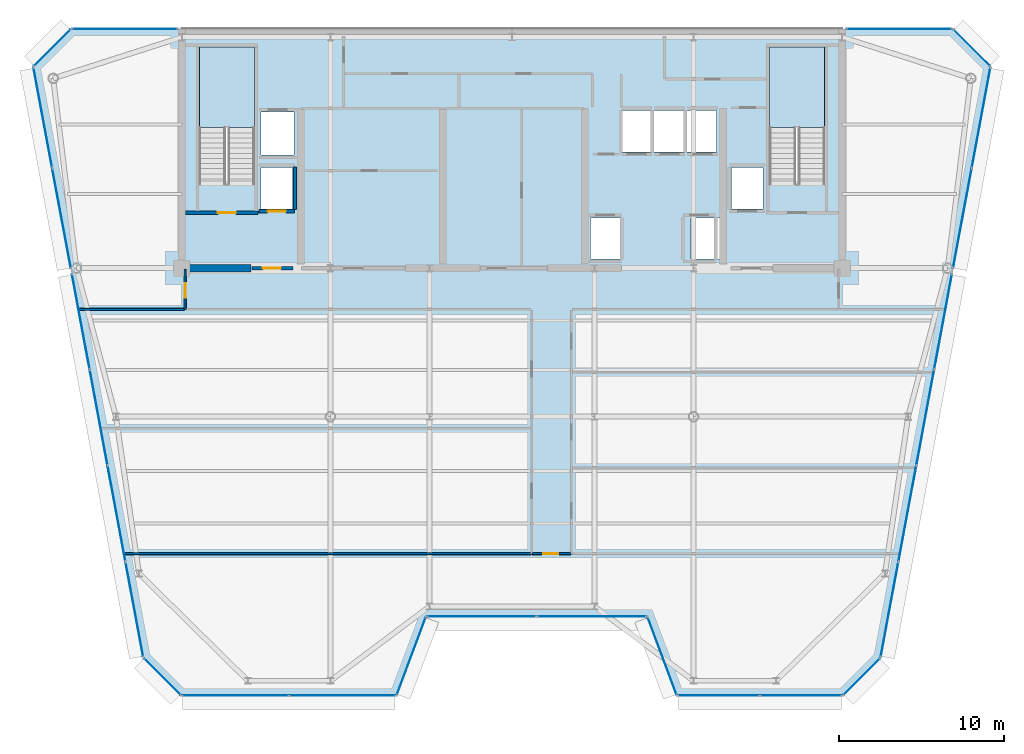
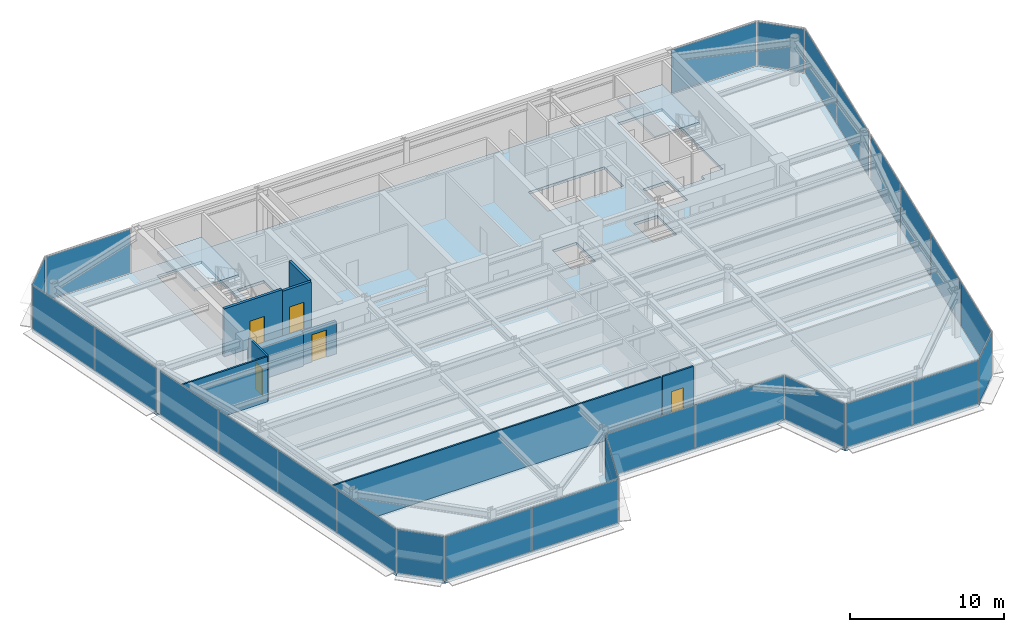
# One storey, part 9 of 18: 26 plates, 9 walls, 5 doors, 3 slabs, 5 openings, 17 elements without a shape of their own.
"""IFC4 building model written with IfcOpenShell, lengths in metres."""

import ifcopenshell
import ifcopenshell.guid

model = None  # the IFC model being written
_history = None  # IfcOwnerHistory: only IFC2X3 demands one
_inside = {}  # id of a spatial element -> (the spatial element, [elements in it])
_under = {}  # id of a project, library or spatial element -> (it, [spatial elements below it])
_declared = {}  # id of a project -> (the project, [libraries it declares])
_typed = {}  # id of a type object -> (the type object, [elements of that type])
_made_of = {}  # id of a material, layer set ... -> (it, [elements and type objects made of it])


def new_model(schema):
    """Start an empty IFC model of exactly this schema.

    Asked for "IFC4X3", IfcOpenShell would pick the latest addendum, in which some entities
    have other attributes; the version numbers below select the first issue.
    IFC2X3 requires an IfcOwnerHistory on every rooted entity: one is made here for all.
    """
    global model, _history
    if schema == "IFC4X3":
        model = ifcopenshell.file(schema_version=(4, 3, 0, 0))
    else:
        model = ifcopenshell.file(schema=schema)
    _inside.clear()
    _under.clear()
    _declared.clear()
    _typed.clear()
    _made_of.clear()
    _history = None
    if model.schema == "IFC2X3":
        org = make("IfcOrganization", Name="unknown")
        user = make(
            "IfcPersonAndOrganization",
            ThePerson=make("IfcPerson", FamilyName="unknown"),
            TheOrganization=org,
        )
        app = make(
            "IfcApplication",
            ApplicationDeveloper=org,
            Version="unknown",
            ApplicationFullName="unknown",
            ApplicationIdentifier="unknown",
        )
        _history = make(
            "IfcOwnerHistory",
            OwningUser=user,
            OwningApplication=app,
            ChangeAction="ADDED",
            CreationDate=0,
        )
    return model


def make(cls, **values):
    """One entity of the class cls with the attributes given. An attribute that is None is left unset."""
    return model.create_entity(
        cls, **{name: value for name, value in values.items() if value is not None}
    )


def rooted(cls, **values):
    """An entity with a GlobalId (a new one), such as an element, a storey or a relation."""
    return make(cls, GlobalId=ifcopenshell.guid.new(), OwnerHistory=_history, **values)


def si_unit(unit_type, name, prefix=None):
    """IfcSIUnit, for example si_unit("LENGTHUNIT", "METRE", prefix="MILLI")."""
    return make("IfcSIUnit", UnitType=unit_type, Prefix=prefix, Name=name)


def assignment(units):
    """IfcUnitAssignment: the units of a project."""
    return None if units is None else make("IfcUnitAssignment", Units=units)


def point(xyz):
    """IfcCartesianPoint."""
    return None if xyz is None else make("IfcCartesianPoint", Coordinates=xyz)


def direction(xyz):
    """IfcDirection."""
    return None if xyz is None else make("IfcDirection", DirectionRatios=xyz)


def frame(location, z_axis=None, x_axis=None):
    """IfcAxis2Placement3D, a coordinate frame: its origin and axes. An axis left out is left unset."""
    return make(
        "IfcAxis2Placement3D",
        Location=point(location),
        Axis=direction(z_axis),
        RefDirection=direction(x_axis),
    )


def frame_2d(location, x_axis=None):
    """IfcAxis2Placement2D, a coordinate frame in the plane: its origin and x axis."""
    return make(
        "IfcAxis2Placement2D", Location=point(location), RefDirection=direction(x_axis)
    )


def origin():
    """The frame at (0, 0, 0) with its axes left unset."""
    return frame((0.0, 0.0, 0.0))


def origin_2d():
    """The frame at (0, 0) in the plane with its x axis left unset."""
    return frame_2d((0.0, 0.0))


def place(relative_to, where):
    """IfcLocalPlacement: puts the frame where relative to a parent placement (None: the world)."""
    return make(
        "IfcLocalPlacement", PlacementRelTo=relative_to, RelativePlacement=where
    )


def context(
    kind, dimensions, precision=None, world=None, true_north=None, identifier=None
):
    """IfcGeometricRepresentationContext, for example the 3D "Model" context."""
    return make(
        "IfcGeometricRepresentationContext",
        ContextIdentifier=identifier,
        ContextType=kind,
        CoordinateSpaceDimension=dimensions,
        Precision=precision,
        WorldCoordinateSystem=world,
        TrueNorth=true_north,
    )


def subcontext(parent, identifier, kind, view, scale=None):
    """IfcGeometricRepresentationSubContext, for example "Body" below "Model"."""
    return make(
        "IfcGeometricRepresentationSubContext",
        ContextIdentifier=identifier,
        ContextType=kind,
        ParentContext=parent,
        TargetScale=scale,
        TargetView=view,
    )


def project(units=None, contexts=None):
    """IfcProject with its units and contexts."""
    return rooted(
        "IfcProject",
        Name="project",
        RepresentationContexts=contexts,
        UnitsInContext=assignment(units),
    )


def spatial(cls, under=None, at=None, **own):
    """A site, building, storey or space (cls), placed at a placement, below another one or the project."""
    s = rooted(cls, ObjectPlacement=at, **own)
    if under is not None:
        _under.setdefault(under.id(), (under, []))[1].append(s)
    return s


def polyline(points):
    """IfcPolyline through the points."""
    return make("IfcPolyline", Points=[point(p) for p in points])


def profile(cls, at=None, kind="AREA", **sizes):
    """A parametric profile (cls). Its sizes go by their IFC names, for example OverallWidth=200.0."""
    return make(cls, ProfileType=kind, Position=at, **sizes)


def rectangle(**sizes):
    """IfcRectangleProfileDef."""
    return profile("IfcRectangleProfileDef", **sizes)


def outline(outer, holes=None, kind="AREA"):
    """IfcArbitraryClosedProfileDef: a profile drawn as a closed curve; with holes, ...WithVoids."""
    if holes is None:
        return make("IfcArbitraryClosedProfileDef", ProfileType=kind, OuterCurve=outer)
    return make(
        "IfcArbitraryProfileDefWithVoids",
        ProfileType=kind,
        OuterCurve=outer,
        InnerCurves=holes,
    )


def extrude(swept, where, along, depth):
    """IfcExtrudedAreaSolid: the profile swept, set in the frame where, extruded along a direction by depth."""
    return make(
        "IfcExtrudedAreaSolid",
        SweptArea=swept,
        Position=where,
        ExtrudedDirection=direction(along),
        Depth=depth,
    )


def shape(context_of_items, identifier, shape_type, items):
    """IfcShapeRepresentation: the items that make up one representation, for example the "Body"."""
    return make(
        "IfcShapeRepresentation",
        ContextOfItems=context_of_items,
        RepresentationIdentifier=identifier,
        RepresentationType=shape_type,
        Items=items,
    )


def source(mapping_origin, context_of_items, identifier, shape_type, items):
    """IfcRepresentationMap: a shape defined once, which mapped items show again and again."""
    return make(
        "IfcRepresentationMap",
        MappingOrigin=mapping_origin,
        MappedRepresentation=shape(context_of_items, identifier, shape_type, items),
    )


def transform(
    local_origin,
    x_axis=None,
    y_axis=None,
    z_axis=None,
    scale=None,
    scale2=None,
    scale3=None,
    uniform=True,
):
    """IfcCartesianTransformationOperator3D, or its non-uniform kind. x_axis, y_axis, z_axis: its Axis1, 2, 3."""
    if uniform:
        return make(
            "IfcCartesianTransformationOperator3D",
            Axis1=direction(x_axis),
            Axis2=direction(y_axis),
            LocalOrigin=point(local_origin),
            Scale=scale,
            Axis3=direction(z_axis),
        )
    return make(
        "IfcCartesianTransformationOperator3DnonUniform",
        Axis1=direction(x_axis),
        Axis2=direction(y_axis),
        LocalOrigin=point(local_origin),
        Scale=scale,
        Axis3=direction(z_axis),
        Scale2=scale2,
        Scale3=scale3,
    )


def mapped(mapping_source, mapping_target):
    """IfcMappedItem: shows the shape of a source again, moved by a transform."""
    return make(
        "IfcMappedItem", MappingSource=mapping_source, MappingTarget=mapping_target
    )


def material(Name=None, Category=None):
    """IfcMaterial."""
    return make("IfcMaterial", Name=Name, Category=Category)


def layer(
    of_material, thickness, ventilated=None, Name=None, Category=None, Priority=None
):
    """IfcMaterialLayer: one layer of a wall or slab, of a material (None: an air gap)."""
    return make(
        "IfcMaterialLayer",
        Material=of_material,
        LayerThickness=thickness,
        IsVentilated=ventilated,
        Name=Name,
        Category=Category,
        Priority=Priority,
    )


def layer_set(layers, Name=None):
    """IfcMaterialLayerSet."""
    return make("IfcMaterialLayerSet", MaterialLayers=layers, LayerSetName=Name)


def made_of(thing, what):
    """Note that an element or type object is made of a material, layer set ...; save() writes the relation."""
    if what is not None:
        _made_of.setdefault(what.id(), (what, []))[1].append(thing)
    return thing


def type_object(cls, material=None, **own):
    """A type object (cls), such as IfcWallType, which elements share."""
    return made_of(rooted(cls, **own), material)


def element(
    cls,
    number,
    at=None,
    inside=None,
    cuts=None,
    type_object=None,
    material=None,
    context=None,
    identifier="Body",
    shape_type=None,
    held_by="IfcProductDefinitionShape",
    body=None,
    shapes=None,
    **own,
):
    """One element of the class cls, such as IfcWall. Its Tag is "e" and its number.

    at: its placement. inside: the storey or other place that contains it. cuts: it is an
    opening in that element (IfcRelVoidsElement). A single representation is given by context,
    identifier, shape_type and body (its items); several are given by shapes. held_by: the class
    of the entity that holds the representations. save() writes the other relations.
    """
    e = rooted(cls, Tag="e%d" % number, ObjectPlacement=at, **own)
    if body is not None:
        shapes = [shape(context, identifier, shape_type, body)]
    if shapes is not None:
        e.Representation = make(held_by, Representations=shapes)
    if inside is not None:
        _inside.setdefault(inside.id(), (inside, []))[1].append(e)
    if cuts is not None:
        rooted(
            "IfcRelVoidsElement", RelatingBuildingElement=cuts, RelatedOpeningElement=e
        )
    if type_object is not None:
        _typed.setdefault(type_object.id(), (type_object, []))[1].append(e)
    return made_of(e, material)


def fill(opening, filler):
    """IfcRelFillsElement: the door or window that sits in an opening."""
    return rooted(
        "IfcRelFillsElement",
        RelatingOpeningElement=opening,
        RelatedBuildingElement=filler,
    )


def aggregate(whole, parts):
    """IfcRelAggregates: a whole, such as a stair, and the parts it consists of."""
    return rooted("IfcRelAggregates", RelatingObject=whole, RelatedObjects=parts)


def save(model, path):
    """Write the relations noted so far, then the file.

    IfcRelAggregates (storeys below a building ...), IfcRelContainedInSpatialStructure (elements
    in a storey), IfcRelDefinesByType, IfcRelAssociatesMaterial and IfcRelDeclares: one each for
    every whole, place, type object, material and project.
    """
    for whole, parts in _under.values():
        aggregate(whole, parts)
    for where, things in _inside.values():
        rooted(
            "IfcRelContainedInSpatialStructure",
            RelatedElements=things,
            RelatingStructure=where,
        )
    for kind, things in _typed.values():
        rooted("IfcRelDefinesByType", RelatedObjects=things, RelatingType=kind)
    for what, things in _made_of.values():
        rooted("IfcRelAssociatesMaterial", RelatedObjects=things, RelatingMaterial=what)
    for by, libraries in _declared.values():
        rooted("IfcRelDeclares", RelatingContext=by, RelatedDefinitions=libraries)
    model.write(path)


model = new_model("IFC4")

# Units and contexts
model_context = context("Model", 3, precision=1e-05, world=origin(), true_north=direction((0.0, 1.0)))
body_context = subcontext(model_context, "Body", "Model", "MODEL_VIEW")
ifc_project = project(units=[si_unit("LENGTHUNIT", "METRE"), si_unit("AREAUNIT", "SQUARE_METRE"), si_unit("VOLUMEUNIT", "CUBIC_METRE"), si_unit("PLANEANGLEUNIT", "RADIAN"), si_unit("MASSUNIT", "GRAM", prefix="KILO")], contexts=[model_context])

# Site, building, storey
site_placement = place(None, origin())
site = spatial("IfcSite", under=ifc_project, at=site_placement, CompositionType="ELEMENT")
building_placement = place(site_placement, origin())
building = spatial("IfcBuilding", under=site, at=building_placement, Name="Vaeldorn Concourse Tower", CompositionType="ELEMENT")
storey_placement = place(building_placement, frame((0.0, 0.0, 246.0)))
storey = spatial("IfcBuildingStorey", under=building, at=storey_placement, Name="L63", CompositionType="ELEMENT", Elevation=246.0)

# Stair, slab
ifc_material_1 = material(Name="Precast concrete C40/50", Category="concrete")
stair_type = type_object("IfcStairType", Name="STR-DOG-24x158", PredefinedType="HALF_TURN_STAIR", material=ifc_material_1)
stair_1_placement = place(storey_placement, origin())
stair_1 = element("IfcStair", 1, at=stair_1_placement, inside=storey, type_object=stair_type, Name="L63 West Core Exit Stair ST-1", PredefinedType="HALF_TURN_STAIR")
ifc_material_2 = material(Name="Concrete C40/50", Category="concrete")
ifc_layer_1 = layer(ifc_material_2, 0.199951171875)
ifc_layer_set_1 = layer_set([ifc_layer_1], Name="Concrete C40/50")
slab_type_1 = type_object("IfcSlabType", Name="SL-STAIR-LANDING", PredefinedType="LANDING", material=ifc_layer_set_1)
slab_1_placement = place(storey_placement, frame((0.0, 0.0, 1.699951171875)))
slab_1 = element("IfcSlab", 2, at=slab_1_placement, type_object=slab_type_1, Name="ST-1 landing 1", PredefinedType="LANDING", context=body_context, shape_type="SweptSolid", body=[
    extrude(outline(polyline([(18.39990234375, 45.010009765625), (18.39990234375, 49.89990234375), (15.050048828125, 49.89990234375), (15.050048828125, 45.010009765625), (18.39990234375, 45.010009765625)])), origin(), (0.0, 0.0, 1.0), 0.199951171875),
])
aggregate(stair_1, [slab_1])

stair_2_placement = place(storey_placement, origin())
stair_2 = element("IfcStair", 3, at=stair_2_placement, inside=storey, type_object=stair_type, Name="L63 East Core Exit Stair ST-2", PredefinedType="HALF_TURN_STAIR")
slab_2_placement = place(storey_placement, frame((0.0, 0.0, 1.699951171875)))
slab_2 = element("IfcSlab", 4, at=slab_2_placement, type_object=slab_type_1, Name="ST-2 landing 1", PredefinedType="LANDING", context=body_context, shape_type="SweptSolid", body=[
    extrude(outline(polyline([(52.949951171875, 45.010009765625), (52.949951171875, 49.89990234375), (49.60009765625, 49.89990234375), (49.60009765625, 45.010009765625), (52.949951171875, 45.010009765625)])), origin(), (0.0, 0.0, 1.0), 0.199951171875),
])
aggregate(stair_2, [slab_2])

# Slab
ifc_layer_2 = layer(ifc_material_2, 0.219970703125)
ifc_layer_set_2 = layer_set([ifc_layer_2], Name="Concrete C40/50")
slab_type_2 = type_object("IfcSlabType", Name="SL-TYP-220", PredefinedType="FLOOR", material=ifc_layer_set_2)
slab_3_placement = place(storey_placement, frame((0.0, 0.0, -0.219970703125)))
element("IfcSlab", 5, at=slab_3_placement, inside=storey, type_object=slab_type_2, Name="Structural Floor Slab L63", PredefinedType="FLOOR", context=body_context, shape_type="SweptSolid", body=[
    extrude(outline(polyline([(13.966064453125, 10.60009765625), (27.0, 10.60009765625), (28.800048828125, 15.39990234375), (42.199951171875, 15.39990234375), (44.0, 10.60009765625), (54.033935546875, 10.60009765625), (56.333984375, 12.89990234375), (63.0, 48.699951171875), (60.699951171875, 51.0), (7.300048828125, 51.0), (5.0, 48.699951171875), (11.666015625, 12.89990234375), (13.966064453125, 10.60009765625)]), holes=[polyline([(18.39990234375, 42.0), (18.39990234375, 49.89990234375), (15.050048828125, 49.89990234375), (15.050048828125, 41.60009765625), (16.800048828125, 41.60009765625), (16.800048828125, 42.0), (18.39990234375, 42.0)]), polyline([(52.949951171875, 42.0), (52.949951171875, 49.89990234375), (49.60009765625, 49.89990234375), (49.60009765625, 41.60009765625), (51.35009765625, 41.60009765625), (51.35009765625, 42.0), (52.949951171875, 42.0)]), polyline([(38.75, 37.050048828125), (40.550048828125, 37.050048828125), (40.550048828125, 39.550048828125), (38.75, 39.550048828125), (38.75, 37.050048828125)]), polyline([(44.85009765625, 37.050048828125), (46.64990234375, 37.050048828125), (46.64990234375, 39.550048828125), (44.85009765625, 39.550048828125), (44.85009765625, 37.050048828125)]), polyline([(40.699951171875, 43.550048828125), (46.39990234375, 43.550048828125), (46.39990234375, 46.050048828125), (40.699951171875, 46.050048828125), (40.699951171875, 43.550048828125)]), polyline([(18.800048828125, 43.35009765625), (20.800048828125, 43.35009765625), (20.800048828125, 45.949951171875), (18.800048828125, 45.949951171875), (18.800048828125, 43.35009765625)]), polyline([(18.800048828125, 40.10009765625), (20.699951171875, 40.10009765625), (20.699951171875, 42.60009765625), (18.800048828125, 42.60009765625), (18.800048828125, 40.10009765625)]), polyline([(47.300048828125, 40.10009765625), (49.199951171875, 40.10009765625), (49.199951171875, 42.60009765625), (47.300048828125, 42.60009765625), (47.300048828125, 40.10009765625)])]), origin(), (0.0, 0.0, 1.0), 0.219970703125),
])

# Curtain wall, plate
ifc_material_3 = material(Name="Anodised Bronze Aluminium", Category="aluminium")
ifc_layer_3 = layer(ifc_material_3, 0.179931640625)
ifc_layer_set_3 = layer_set([ifc_layer_3], Name="Anodised Bronze Aluminium")
curtain_wall_type = type_object("IfcCurtainWallType", Name="CW-SYS-05", PredefinedType="NOTDEFINED", material=ifc_layer_set_3)
curtain_wall_1_placement = place(storey_placement, origin())
curtain_wall_1 = element("IfcCurtainWall", 6, at=curtain_wall_1_placement, inside=storey, type_object=curtain_wall_type, Name="Unitised Curtain Wall CW-L63-E02-1", PredefinedType="NOTDEFINED")
ifc_material_4 = material(Name="Bronze Tinted Low-E Insulated Glass", Category="glass")
ifc_layer_4 = layer(ifc_material_4, 0.031982421875)
ifc_layer_set_4 = layer_set([ifc_layer_4], Name="Bronze Tinted Low-E Insulated Glass")
plate_type = type_object("IfcPlateType", Name="CWP-VISION-32", PredefinedType="CURTAIN_PANEL", material=ifc_layer_set_4)
shared_shape_1 = source(origin(), body_context, "Body", "SweptSolid", [
    extrude(rectangle(XDim=4.996337890625, YDim=0.031982421875, at=origin_2d()), origin(), (0.0, 0.0, 1.0), 3.449951171875),
])
plate_1_placement = place(storey_placement, frame((27.89990234375, 13.0, 0.06494140625), z_axis=(0.0, 0.0, 1.0), x_axis=(0.351123441595, 0.936329177566, 0.0)))
plate_1 = element("IfcPlate", 7, at=plate_1_placement, type_object=plate_type, Name="CW-05 panel 1.1", PredefinedType="CURTAIN_PANEL", context=body_context, shape_type="MappedRepresentation", body=[
    mapped(shared_shape_1, transform((0.0, 0.0, 0.0), scale=1.0)),
])
aggregate(curtain_wall_1, [plate_1])

curtain_wall_2_placement = place(storey_placement, origin())
curtain_wall_2 = element("IfcCurtainWall", 8, at=curtain_wall_2_placement, inside=storey, type_object=curtain_wall_type, Name="Unitised Curtain Wall CW-L63-E04-1", PredefinedType="NOTDEFINED")
plate_2_placement = place(storey_placement, frame((43.10009765625, 13.0, 0.06494140625), z_axis=(0.0, 0.0, 1.0), x_axis=(0.351123441595, -0.936329177566, 0.0)))
plate_2 = element("IfcPlate", 9, at=plate_2_placement, type_object=plate_type, Name="CW-05 panel 1.1", PredefinedType="CURTAIN_PANEL", context=body_context, shape_type="MappedRepresentation", body=[
    mapped(shared_shape_1, transform((0.0, 0.0, 0.0), scale=1.0)),
])
aggregate(curtain_wall_2, [plate_2])

# Curtain wall, plates
curtain_wall_3_placement = place(storey_placement, origin())
curtain_wall_3 = element("IfcCurtainWall", 10, at=curtain_wall_3_placement, inside=storey, type_object=curtain_wall_type, Name="Unitised Curtain Wall CW-L63-E03-1", PredefinedType="NOTDEFINED")
shared_shape_2 = source(origin(), body_context, "Body", "SweptSolid", [
    extrude(rectangle(XDim=6.6025390625, YDim=0.031982421875, at=origin_2d()), origin(), (0.0, 0.0, 1.0), 3.449951171875),
])
plate_3_placement = place(storey_placement, frame((32.166259765625, 15.39990234375, 0.06494140625), z_axis=(0.0, 0.0, 1.0), x_axis=(1.0, 0.0, 0.0)))
plate_3 = element("IfcPlate", 11, at=plate_3_placement, type_object=plate_type, Name="CW-05 panel 1.1", PredefinedType="CURTAIN_PANEL", context=body_context, shape_type="MappedRepresentation", body=[
    mapped(shared_shape_2, transform((0.0, 0.0, 0.0), scale=1.0)),
])
plate_4_placement = place(storey_placement, frame((38.833740234375, 15.39990234375, 0.06494140625), z_axis=(0.0, 0.0, 1.0), x_axis=(1.0, 0.0, 0.0)))
plate_4 = element("IfcPlate", 12, at=plate_4_placement, type_object=plate_type, Name="CW-05 panel 2.1", PredefinedType="CURTAIN_PANEL", context=body_context, shape_type="MappedRepresentation", body=[
    mapped(shared_shape_2, transform((0.0, 0.0, 0.0), scale=1.0)),
])
aggregate(curtain_wall_3, [plate_3, plate_4])

# Curtain wall, plate
curtain_wall_4_placement = place(storey_placement, origin())
curtain_wall_4 = element("IfcCurtainWall", 13, at=curtain_wall_4_placement, inside=storey, type_object=curtain_wall_type, Name="Unitised Curtain Wall CW-L63-E06-1", PredefinedType="NOTDEFINED")
shared_shape_3 = source(origin(), body_context, "Body", "SweptSolid", [
    extrude(rectangle(XDim=3.122802734375, YDim=0.031982421875, at=origin_2d()), origin(), (0.0, 0.0, 1.0), 3.449951171875),
])
plate_5_placement = place(storey_placement, frame((55.18408203125, 11.75, 0.06494140625), z_axis=(0.0, 0.0, 1.0), x_axis=(0.707106781187, 0.707106781187, 0.0)))
plate_5 = element("IfcPlate", 14, at=plate_5_placement, type_object=plate_type, Name="CW-05 panel 1.1", PredefinedType="CURTAIN_PANEL", context=body_context, shape_type="MappedRepresentation", body=[
    mapped(shared_shape_3, transform((0.0, 0.0, 0.0), scale=1.0)),
])
aggregate(curtain_wall_4, [plate_5])

curtain_wall_5_placement = place(storey_placement, origin())
curtain_wall_5 = element("IfcCurtainWall", 15, at=curtain_wall_5_placement, inside=storey, type_object=curtain_wall_type, Name="Unitised Curtain Wall CW-L63-E08-1", PredefinedType="NOTDEFINED")
plate_6_placement = place(storey_placement, frame((61.85009765625, 49.85009765625, 0.06494140625), z_axis=(0.0, 0.0, 1.0), x_axis=(-0.707106781187, 0.707106781187, 0.0)))
plate_6 = element("IfcPlate", 16, at=plate_6_placement, type_object=plate_type, Name="CW-05 panel 1.1", PredefinedType="CURTAIN_PANEL", context=body_context, shape_type="MappedRepresentation", body=[
    mapped(shared_shape_3, transform((0.0, 0.0, 0.0), scale=1.0)),
])
aggregate(curtain_wall_5, [plate_6])

curtain_wall_6_placement = place(storey_placement, origin())
curtain_wall_6 = element("IfcCurtainWall", 17, at=curtain_wall_6_placement, inside=storey, type_object=curtain_wall_type, Name="Unitised Curtain Wall CW-L63-E10-1", PredefinedType="NOTDEFINED")
plate_7_placement = place(storey_placement, frame((6.14990234375, 49.85009765625, 0.06494140625), z_axis=(0.0, 0.0, 1.0), x_axis=(-0.707106781187, -0.707106781187, 0.0)))
plate_7 = element("IfcPlate", 18, at=plate_7_placement, type_object=plate_type, Name="CW-05 panel 1.1", PredefinedType="CURTAIN_PANEL", context=body_context, shape_type="MappedRepresentation", body=[
    mapped(shared_shape_3, transform((0.0, 0.0, 0.0), scale=1.0)),
])
aggregate(curtain_wall_6, [plate_7])

curtain_wall_7_placement = place(storey_placement, origin())
curtain_wall_7 = element("IfcCurtainWall", 19, at=curtain_wall_7_placement, inside=storey, type_object=curtain_wall_type, Name="Unitised Curtain Wall CW-L63-E12-1", PredefinedType="NOTDEFINED")
plate_8_placement = place(storey_placement, frame((12.81591796875, 11.75, 0.06494140625), z_axis=(0.0, 0.0, 1.0), x_axis=(0.707106781187, -0.707106781187, 0.0)))
plate_8 = element("IfcPlate", 20, at=plate_8_placement, type_object=plate_type, Name="CW-05 panel 1.1", PredefinedType="CURTAIN_PANEL", context=body_context, shape_type="MappedRepresentation", body=[
    mapped(shared_shape_3, transform((0.0, 0.0, 0.0), scale=1.0)),
])
aggregate(curtain_wall_7, [plate_8])

# Curtain wall, plates
curtain_wall_8_placement = place(storey_placement, origin())
curtain_wall_8 = element("IfcCurtainWall", 21, at=curtain_wall_8_placement, inside=storey, type_object=curtain_wall_type, Name="Unitised Curtain Wall CW-L63-E07-1", PredefinedType="NOTDEFINED")
shared_shape_4 = source(origin(), body_context, "Body", "SweptSolid", [
    extrude(rectangle(XDim=5.82373046875, YDim=0.031982421875, at=origin_2d()), origin(), (0.0, 0.0, 1.0), 3.449951171875),
])
plate_9_placement = place(storey_placement, frame((56.87890625, 15.82666015625, 0.06494140625), z_axis=(0.0, 0.0, 1.0), x_axis=(0.18305510739, 0.983102653673, 0.0)))
plate_9 = element("IfcPlate", 22, at=plate_9_placement, type_object=plate_type, Name="CW-05 panel 1.1", PredefinedType="CURTAIN_PANEL", context=body_context, shape_type="MappedRepresentation", body=[
    mapped(shared_shape_4, transform((0.0, 0.0, 0.0), scale=1.0)),
])
plate_10_placement = place(storey_placement, frame((60.124755859375, 33.25830078125, 0.06494140625), z_axis=(0.0, 0.0, 1.0), x_axis=(0.18305510739, 0.983102653673, 0.0)))
plate_10 = element("IfcPlate", 23, at=plate_10_placement, type_object=plate_type, Name="CW-05 panel 4.1", PredefinedType="CURTAIN_PANEL", context=body_context, shape_type="MappedRepresentation", body=[
    mapped(shared_shape_4, transform((0.0, 0.0, 0.0), scale=1.0)),
])

curtain_wall_9_placement = place(storey_placement, origin())
curtain_wall_9 = element("IfcCurtainWall", 24, at=curtain_wall_9_placement, inside=storey, type_object=curtain_wall_type, Name="Unitised Curtain Wall CW-L63-E11-2", PredefinedType="NOTDEFINED")
plate_11_placement = place(storey_placement, frame((7.875244140625, 33.25830078125, 0.06494140625), z_axis=(0.0, 0.0, 1.0), x_axis=(0.18305510739, -0.983102653673, 0.0)))
plate_11 = element("IfcPlate", 25, at=plate_11_placement, type_object=plate_type, Name="CW-05 panel 1.1", PredefinedType="CURTAIN_PANEL", context=body_context, shape_type="MappedRepresentation", body=[
    mapped(shared_shape_4, transform((0.0, 0.0, 0.0), scale=1.0)),
])
plate_12_placement = place(storey_placement, frame((11.12109375, 15.82666015625, 0.06494140625), z_axis=(0.0, 0.0, 1.0), x_axis=(0.18305510739, -0.983102653673, 0.0)))
plate_12 = element("IfcPlate", 26, at=plate_12_placement, type_object=plate_type, Name="CW-05 panel 4.1", PredefinedType="CURTAIN_PANEL", context=body_context, shape_type="MappedRepresentation", body=[
    mapped(shared_shape_4, transform((0.0, 0.0, 0.0), scale=1.0)),
])

# Plate
shared_shape_5 = source(origin(), body_context, "Body", "SweptSolid", [
    extrude(rectangle(XDim=5.856201171875, YDim=0.031982421875, at=origin_2d()), origin(), (0.0, 0.0, 1.0), 3.449951171875),
])
plate_13_placement = place(storey_placement, frame((57.9599609375, 21.6318359375, 0.06494140625), z_axis=(0.0, 0.0, 1.0), x_axis=(0.18305510739, 0.983102653673, 0.0)))
plate_13 = element("IfcPlate", 27, at=plate_13_placement, type_object=plate_type, Name="CW-05 panel 2.1", PredefinedType="CURTAIN_PANEL", context=body_context, shape_type="MappedRepresentation", body=[
    mapped(shared_shape_5, transform((0.0, 0.0, 0.0), scale=1.0)),
])

plate_14_placement = place(storey_placement, frame((59.043701171875, 27.453125, 0.06494140625), z_axis=(0.0, 0.0, 1.0), x_axis=(0.18305510739, 0.983102653673, 0.0)))
plate_14 = element("IfcPlate", 28, at=plate_14_placement, type_object=plate_type, Name="CW-05 panel 3.1", PredefinedType="CURTAIN_PANEL", context=body_context, shape_type="MappedRepresentation", body=[
    mapped(shared_shape_5, transform((0.0, 0.0, 0.0), scale=1.0)),
])

aggregate(curtain_wall_8, [plate_9, plate_13, plate_14, plate_10])

plate_15_placement = place(storey_placement, frame((8.956298828125, 27.453125, 0.06494140625), z_axis=(0.0, 0.0, 1.0), x_axis=(0.18305510739, -0.983102653673, 0.0)))
plate_15 = element("IfcPlate", 29, at=plate_15_placement, type_object=plate_type, Name="CW-05 panel 2.1", PredefinedType="CURTAIN_PANEL", context=body_context, shape_type="MappedRepresentation", body=[
    mapped(shared_shape_5, transform((0.0, 0.0, 0.0), scale=1.0)),
])

plate_16_placement = place(storey_placement, frame((10.0400390625, 21.6318359375, 0.06494140625), z_axis=(0.0, 0.0, 1.0), x_axis=(0.18305510739, -0.983102653673, 0.0)))
plate_16 = element("IfcPlate", 30, at=plate_16_placement, type_object=plate_type, Name="CW-05 panel 3.1", PredefinedType="CURTAIN_PANEL", context=body_context, shape_type="MappedRepresentation", body=[
    mapped(shared_shape_5, transform((0.0, 0.0, 0.0), scale=1.0)),
])

aggregate(curtain_wall_9, [plate_11, plate_15, plate_16, plate_12])

# Curtain wall, plates
curtain_wall_10_placement = place(storey_placement, origin())
curtain_wall_10 = element("IfcCurtainWall", 31, at=curtain_wall_10_placement, inside=storey, type_object=curtain_wall_type, Name="Unitised Curtain Wall CW-L63-E07-2", PredefinedType="NOTDEFINED")
shared_shape_6 = source(origin(), body_context, "Body", "SweptSolid", [
    extrude(rectangle(XDim=6.143798828125, YDim=0.031982421875, at=origin_2d()), origin(), (0.0, 0.0, 1.0), 3.449951171875),
])
plate_17_placement = place(storey_placement, frame((61.289306640625, 39.51220703125, 0.06494140625), z_axis=(0.0, 0.0, 1.0), x_axis=(0.183054493257, 0.983102768025, 0.0)))
plate_17 = element("IfcPlate", 32, at=plate_17_placement, type_object=plate_type, Name="CW-05 panel 1.1", PredefinedType="CURTAIN_PANEL", context=body_context, shape_type="MappedRepresentation", body=[
    mapped(shared_shape_6, transform((0.0, 0.0, 0.0), scale=1.0)),
])
plate_18_placement = place(storey_placement, frame((62.42578125, 45.6162109375, 0.06494140625), z_axis=(0.0, 0.0, 1.0), x_axis=(0.183054493257, 0.983102768025, 0.0)))
plate_18 = element("IfcPlate", 33, at=plate_18_placement, type_object=plate_type, Name="CW-05 panel 2.1", PredefinedType="CURTAIN_PANEL", context=body_context, shape_type="MappedRepresentation", body=[
    mapped(shared_shape_6, transform((0.0, 0.0, 0.0), scale=1.0)),
])
aggregate(curtain_wall_10, [plate_17, plate_18])

curtain_wall_11_placement = place(storey_placement, origin())
curtain_wall_11 = element("IfcCurtainWall", 34, at=curtain_wall_11_placement, inside=storey, type_object=curtain_wall_type, Name="Unitised Curtain Wall CW-L63-E11-1", PredefinedType="NOTDEFINED")
plate_19_placement = place(storey_placement, frame((5.57421875, 45.6162109375, 0.06494140625), z_axis=(0.0, 0.0, 1.0), x_axis=(0.183054493257, -0.983102768025, 0.0)))
plate_19 = element("IfcPlate", 35, at=plate_19_placement, type_object=plate_type, Name="CW-05 panel 1.1", PredefinedType="CURTAIN_PANEL", context=body_context, shape_type="MappedRepresentation", body=[
    mapped(shared_shape_6, transform((0.0, 0.0, 0.0), scale=1.0)),
])
plate_20_placement = place(storey_placement, frame((6.710693359375, 39.51220703125, 0.06494140625), z_axis=(0.0, 0.0, 1.0), x_axis=(0.183054493257, -0.983102768025, 0.0)))
plate_20 = element("IfcPlate", 36, at=plate_20_placement, type_object=plate_type, Name="CW-05 panel 2.1", PredefinedType="CURTAIN_PANEL", context=body_context, shape_type="MappedRepresentation", body=[
    mapped(shared_shape_6, transform((0.0, 0.0, 0.0), scale=1.0)),
])
aggregate(curtain_wall_11, [plate_19, plate_20])

curtain_wall_12_placement = place(storey_placement, origin())
curtain_wall_12 = element("IfcCurtainWall", 37, at=curtain_wall_12_placement, inside=storey, type_object=curtain_wall_type, Name="Unitised Curtain Wall CW-L63-E01-1", PredefinedType="NOTDEFINED")
shared_shape_7 = source(origin(), body_context, "Body", "SweptSolid", [
    extrude(rectangle(XDim=6.41943359375, YDim=0.031982421875, at=origin_2d()), origin(), (0.0, 0.0, 1.0), 3.449951171875),
])
plate_21_placement = place(storey_placement, frame((17.24072265625, 10.60009765625, 0.06494140625), z_axis=(0.0, 0.0, 1.0), x_axis=(1.0, 0.0, 0.0)))
plate_21 = element("IfcPlate", 38, at=plate_21_placement, type_object=plate_type, Name="CW-05 panel 1.1", PredefinedType="CURTAIN_PANEL", context=body_context, shape_type="MappedRepresentation", body=[
    mapped(shared_shape_7, transform((0.0, 0.0, 0.0), scale=1.0)),
])
plate_22_placement = place(storey_placement, frame((23.725341796875, 10.60009765625, 0.06494140625), z_axis=(0.0, 0.0, 1.0), x_axis=(1.0, 0.0, 0.0)))
plate_22 = element("IfcPlate", 39, at=plate_22_placement, type_object=plate_type, Name="CW-05 panel 2.1", PredefinedType="CURTAIN_PANEL", context=body_context, shape_type="MappedRepresentation", body=[
    mapped(shared_shape_7, transform((0.0, 0.0, 0.0), scale=1.0)),
])
aggregate(curtain_wall_12, [plate_21, plate_22])

curtain_wall_13_placement = place(storey_placement, origin())
curtain_wall_13 = element("IfcCurtainWall", 40, at=curtain_wall_13_placement, inside=storey, type_object=curtain_wall_type, Name="Unitised Curtain Wall CW-L63-E05-1", PredefinedType="NOTDEFINED")
shared_shape_8 = source(origin(), body_context, "Body", "SweptSolid", [
    extrude(rectangle(XDim=4.91943359375, YDim=0.031982421875, at=origin_2d()), origin(), (0.0, 0.0, 1.0), 3.449951171875),
])
plate_23_placement = place(storey_placement, frame((46.524658203125, 10.60009765625, 0.06494140625), z_axis=(0.0, 0.0, 1.0), x_axis=(1.0, 0.0, 0.0)))
plate_23 = element("IfcPlate", 41, at=plate_23_placement, type_object=plate_type, Name="CW-05 panel 1.1", PredefinedType="CURTAIN_PANEL", context=body_context, shape_type="MappedRepresentation", body=[
    mapped(shared_shape_8, transform((0.0, 0.0, 0.0), scale=1.0)),
])
plate_24_placement = place(storey_placement, frame((51.50927734375, 10.60009765625, 0.06494140625), z_axis=(0.0, 0.0, 1.0), x_axis=(1.0, 0.0, 0.0)))
plate_24 = element("IfcPlate", 42, at=plate_24_placement, type_object=plate_type, Name="CW-05 panel 2.1", PredefinedType="CURTAIN_PANEL", context=body_context, shape_type="MappedRepresentation", body=[
    mapped(shared_shape_8, transform((0.0, 0.0, 0.0), scale=1.0)),
])
aggregate(curtain_wall_13, [plate_23, plate_24])

# Curtain wall, plate
curtain_wall_14_placement = place(storey_placement, origin())
curtain_wall_14 = element("IfcCurtainWall", 43, at=curtain_wall_14_placement, inside=storey, type_object=curtain_wall_type, Name="Unitised Curtain Wall CW-L63-E09-1", PredefinedType="NOTDEFINED")
shared_shape_9 = source(origin(), body_context, "Body", "SweptSolid", [
    extrude(rectangle(XDim=6.35009765625, YDim=0.031982421875, at=origin_2d()), origin(), (0.0, 0.0, 1.0), 3.449951171875),
])
plate_25_placement = place(storey_placement, frame((57.4599609375, 51.0, 0.06494140625), z_axis=(0.0, 0.0, 1.0), x_axis=(-1.0, 0.0, 0.0)))
plate_25 = element("IfcPlate", 44, at=plate_25_placement, type_object=plate_type, Name="CW-05 panel 1.1", PredefinedType="CURTAIN_PANEL", context=body_context, shape_type="MappedRepresentation", body=[
    mapped(shared_shape_9, transform((0.0, 0.0, 0.0), scale=1.0)),
])
aggregate(curtain_wall_14, [plate_25])

curtain_wall_15_placement = place(storey_placement, origin())
curtain_wall_15 = element("IfcCurtainWall", 45, at=curtain_wall_15_placement, inside=storey, type_object=curtain_wall_type, Name="Unitised Curtain Wall CW-L63-E09-2", PredefinedType="NOTDEFINED")
plate_26_placement = place(storey_placement, frame((10.5400390625, 51.0, 0.06494140625), z_axis=(0.0, 0.0, 1.0), x_axis=(-1.0, 0.0, 0.0)))
plate_26 = element("IfcPlate", 46, at=plate_26_placement, type_object=plate_type, Name="CW-05 panel 1.1", PredefinedType="CURTAIN_PANEL", context=body_context, shape_type="MappedRepresentation", body=[
    mapped(shared_shape_9, transform((0.0, 0.0, 0.0), scale=1.0)),
])
aggregate(curtain_wall_15, [plate_26])

# Wall
ifc_material_5 = material(Name="Concrete C50/60", Category="concrete")
ifc_layer_5 = layer(ifc_material_5, 0.449951171875)
ifc_layer_set_5 = layer_set([ifc_layer_5], Name="Concrete C50/60")
wall_type_1 = type_object("IfcWallType", Name="WL-CORE-450", PredefinedType="SHEAR", material=ifc_layer_set_5)
wall_1_placement = place(storey_placement, frame((14.2451171875, 36.5, 0.0), z_axis=(0.0, 0.0, 1.0), x_axis=(1.0, 0.0, 0.0)))
element("IfcWall", 47, at=wall_1_placement, inside=storey, type_object=wall_type_1, Name="Rear Core Shear Wall L63 S1", PredefinedType="SHEAR", context=body_context, shape_type="SweptSolid", body=[
    extrude(rectangle(XDim=3.954833984375, YDim=0.449951171875, at=frame_2d((1.9775390625, 0.0))), origin(), (0.0, 0.0, 1.0), 2.580078125),
])

# Wall, opening, door
ifc_material_6 = material(Name="Gypsum Board Partition", Category="gypsum")
ifc_layer_6 = layer(ifc_material_6, 0.1201171875)
ifc_layer_set_6 = layer_set([ifc_layer_6], Name="Gypsum Board Partition")
wall_type_2 = type_object("IfcWallType", Name="WL-PART-120", PredefinedType="PARTITIONING", material=ifc_layer_set_6)
wall_2_placement = place(storey_placement, frame((14.199951171875, 34.0, 0.0), z_axis=(0.0, 0.0, 1.0), x_axis=(0.0, 1.0, 0.0)))
wall_2 = element("IfcWall", 48, at=wall_2_placement, inside=storey, type_object=wall_type_2, Name="Interior Wall PW-L63-C3W", PredefinedType="PARTITIONING", context=body_context, shape_type="SweptSolid", body=[
    extrude(rectangle(XDim=2.43994140625, YDim=0.1201171875, at=frame_2d((1.219970703125, 0.0))), origin(), (0.0, 0.0, 1.0), 3.580078125),
])
opening_1_placement = place(wall_2_placement, frame((0.699951171875, 0.0, 0.0)))
opening_1 = element("IfcOpeningElement", 49, at=opening_1_placement, cuts=wall_2, Name="Opening D-03", PredefinedType="OPENING", context=body_context, shape_type="SweptSolid", body=[
    extrude(rectangle(XDim=0.89990234375, YDim=2.14990234375, at=frame_2d((0.449951171875, 1.074951171875))), frame((0.0, 0.070068359375, 0.0), z_axis=(0.0, -1.0, 0.0), x_axis=(1.0, 0.0, 0.0)), (0.0, 0.0, 1.0), 0.14013671875),
])
ifc_material_7 = material(Name="Acoustic Bronze-Framed Glass Door", Category="glass")
door_type_1 = type_object("IfcDoorType", Name="DR-INT-900", OperationType="NOTDEFINED", PredefinedType="DOOR", material=ifc_material_7)
shared_shape_10 = source(origin(), body_context, "Body", "SweptSolid", [
    extrude(rectangle(XDim=0.89990234375, YDim=2.14990234375, at=frame_2d((0.449951171875, 1.074951171875))), frame((0.0, 0.02490234375, 0.0), z_axis=(0.0, -1.0, 0.0), x_axis=(1.0, 0.0, 0.0)), (0.0, 0.0, 1.0), 0.050048828125),
])
door_1_placement = place(opening_1_placement, origin())
door_1 = element("IfcDoor", 50, at=door_1_placement, inside=storey, type_object=door_type_1, Name="Interior Door DR-L63-Z3NW", OperationType="SINGLE_SWING_LEFT", OverallHeight=2.14990234375, OverallWidth=0.89990234375, PredefinedType="DOOR", context=body_context, shape_type="MappedRepresentation", body=[
    mapped(shared_shape_10, transform((0.0, 0.0, 0.0), scale=1.0)),
])
fill(opening_1, door_1)

wall_3_placement = place(storey_placement, frame((35.239990234375, 19.199951171875, 0.0), z_axis=(0.0, 0.0, 1.0), x_axis=(1.0, 0.0, 0.0)))
wall_3 = element("IfcWall", 51, at=wall_3_placement, inside=storey, type_object=wall_type_2, Name="Interior Wall PW-L63-CSPS", PredefinedType="PARTITIONING", context=body_context, shape_type="SweptSolid", body=[
    extrude(rectangle(XDim=2.320068359375, YDim=0.1201171875, at=frame_2d((1.16015625, 0.0))), origin(), (0.0, 0.0, 1.0), 3.580078125),
])
opening_2_placement = place(wall_3_placement, frame((0.64990234375, 0.0, 0.0)))
opening_2 = element("IfcOpeningElement", 52, at=opening_2_placement, cuts=wall_3, Name="Opening D-03", PredefinedType="OPENING", context=body_context, shape_type="SweptSolid", body=[
    extrude(rectangle(XDim=0.89990234375, YDim=2.14990234375, at=frame_2d((0.449951171875, 1.074951171875))), frame((0.0, 0.070068359375, 0.0), z_axis=(0.0, -1.0, 0.0), x_axis=(1.0, 0.0, 0.0)), (0.0, 0.0, 1.0), 0.14013671875),
])
door_2_placement = place(opening_2_placement, origin())
door_2 = element("IfcDoor", 53, at=door_2_placement, inside=storey, type_object=door_type_1, Name="Interior Door DR-L63-Z3SM", OperationType="SINGLE_SWING_LEFT", OverallHeight=2.14990234375, OverallWidth=0.89990234375, PredefinedType="DOOR", context=body_context, shape_type="MappedRepresentation", body=[
    mapped(shared_shape_10, transform((0.0, 0.0, 0.0), scale=1.0)),
])
fill(opening_2, door_2)

# Walls
wall_4_placement = place(storey_placement, frame((7.777099609375, 34.0, 0.0), z_axis=(0.0, 0.0, 1.0), x_axis=(1.0, 0.0, 0.0)))
element("IfcWall", 54, at=wall_4_placement, inside=storey, type_object=wall_type_2, Name="Interior Wall PW-L63-Z3NWB", PredefinedType="PARTITIONING", context=body_context, shape_type="SweptSolid", body=[
    extrude(rectangle(XDim=6.36279296875, YDim=0.1201171875, at=frame_2d((3.181396484375, 0.0))), origin(), (0.0, 0.0, 1.0), 3.580078125),
])
wall_5_placement = place(storey_placement, frame((10.532958984375, 19.199951171875, 0.0), z_axis=(0.0, 0.0, 1.0), x_axis=(1.0, 0.0, 0.0)))
element("IfcWall", 55, at=wall_5_placement, inside=storey, type_object=wall_type_2, Name="Interior Wall PW-L63-Z3SWL", PredefinedType="PARTITIONING", context=body_context, shape_type="SweptSolid", body=[
    extrude(rectangle(XDim=24.60693359375, YDim=0.1201171875, at=frame_2d((12.303466796875, 0.0))), origin(), (0.0, 0.0, 1.0), 3.580078125),
])

# Wall, opening, door
ifc_layer_7 = layer(ifc_material_5, 0.199951171875)
ifc_layer_set_7 = layer_set([ifc_layer_7], Name="Concrete C50/60")
wall_type_3 = type_object("IfcWallType", Name="WL-SHAFT-200", PredefinedType="SOLIDWALL", material=ifc_layer_set_7)
wall_6_placement = place(storey_placement, frame((14.22509765625, 39.85009765625, 0.0), z_axis=(0.0, 0.0, 1.0), x_axis=(1.0, 0.0, 0.0)))
wall_6 = element("IfcWall", 56, at=wall_6_placement, inside=storey, type_object=wall_type_3, Name="Stair Shaft Wall CW-L63-ST-1-S", PredefinedType="SOLIDWALL", context=body_context, shape_type="SweptSolid", body=[
    extrude(rectangle(XDim=4.375, YDim=0.199951171875, at=frame_2d((2.1875, 0.0))), origin(), (0.0, 0.0, 1.0), 3.800048828125),
])
opening_3_placement = place(wall_6_placement, frame((1.949951171875, 0.0, 0.0)))
opening_3 = element("IfcOpeningElement", 57, at=opening_3_placement, cuts=wall_6, Name="Opening D-01", PredefinedType="OPENING", context=body_context, shape_type="SweptSolid", body=[
    extrude(rectangle(XDim=1.10009765625, YDim=2.14990234375, at=frame_2d((0.550048828125, 1.074951171875))), frame((0.0, 0.10986328125, 0.0), z_axis=(0.0, -1.0, 0.0), x_axis=(1.0, 0.0, 0.0)), (0.0, 0.0, 1.0), 0.219970703125),
])
ifc_material_8 = material(Name="Fire-Rated Timber and Steel Leaf", Category="steel")
door_type_2 = type_object("IfcDoorType", Name="DR-FD60-1100", OperationType="NOTDEFINED", PredefinedType="DOOR", material=ifc_material_8)
shared_shape_11 = source(origin(), body_context, "Body", "SweptSolid", [
    extrude(rectangle(XDim=1.10009765625, YDim=2.14990234375, at=frame_2d((0.550048828125, 1.074951171875))), frame((0.0, 0.02490234375, 0.0), z_axis=(0.0, -1.0, 0.0), x_axis=(1.0, 0.0, 0.0)), (0.0, 0.0, 1.0), 0.050048828125),
])
door_3_placement = place(opening_3_placement, origin())
door_3 = element("IfcDoor", 58, at=door_3_placement, inside=storey, type_object=door_type_2, Name="Interior Door DR-L63-ST-1", OperationType="SINGLE_SWING_LEFT", OverallHeight=2.14990234375, OverallWidth=1.10009765625, PredefinedType="DOOR", context=body_context, shape_type="MappedRepresentation", body=[
    mapped(shared_shape_11, transform((0.0, 0.0, 0.0), scale=1.0)),
])
fill(opening_3, door_3)

wall_7_placement = place(storey_placement, frame((18.25, 36.5, 0.0), z_axis=(0.0, 0.0, 1.0), x_axis=(1.0, 0.0, 0.0)))
wall_7 = element("IfcWall", 59, at=wall_7_placement, inside=storey, type_object=wall_type_3, Name="Interior Wall CW-L63-FF1S", PredefinedType="SOLIDWALL", context=body_context, shape_type="SweptSolid", body=[
    extrude(rectangle(XDim=2.469970703125, YDim=0.199951171875, at=frame_2d((1.23486328125, 0.0))), origin(), (0.0, 0.0, 1.0), 2.570068359375),
])
opening_4_placement = place(wall_7_placement, frame((0.64990234375, 0.0, 0.0)))
opening_4 = element("IfcOpeningElement", 60, at=opening_4_placement, cuts=wall_7, Name="Opening D-01", PredefinedType="OPENING", context=body_context, shape_type="SweptSolid", body=[
    extrude(rectangle(XDim=1.10009765625, YDim=2.14990234375, at=frame_2d((0.550048828125, 1.074951171875))), frame((0.0, 0.10986328125, 0.0), z_axis=(0.0, -1.0, 0.0), x_axis=(1.0, 0.0, 0.0)), (0.0, 0.0, 1.0), 0.219970703125),
])
door_4_placement = place(opening_4_placement, origin())
door_4 = element("IfcDoor", 61, at=door_4_placement, inside=storey, type_object=door_type_2, Name="Interior Door DR-L63-FF1E", OperationType="SINGLE_SWING_RIGHT", OverallHeight=2.14990234375, OverallWidth=1.10009765625, PredefinedType="DOOR", context=body_context, shape_type="MappedRepresentation", body=[
    mapped(shared_shape_11, transform((0.0, 0.0, 0.0), scale=1.0)),
])
fill(opening_4, door_4)

wall_8_placement = place(storey_placement, frame((18.669921875, 39.949951171875, 0.0), z_axis=(0.0, 0.0, 1.0), x_axis=(1.0, 0.0, 0.0)))
wall_8 = element("IfcWall", 62, at=wall_8_placement, inside=storey, type_object=wall_type_3, Name="Interior Wall CW-L63-LF-LF-FF1", PredefinedType="SOLIDWALL", context=body_context, shape_type="SweptSolid", body=[
    extrude(rectangle(XDim=2.16015625, YDim=0.199951171875, at=frame_2d((1.080078125, 0.0))), origin(), (0.0, 0.0, 1.0), 3.580078125),
])
opening_5_placement = place(wall_8_placement, frame((0.530029296875, 0.0, 0.0)))
opening_5 = element("IfcOpeningElement", 63, at=opening_5_placement, cuts=wall_8, Name="Opening LD-1", PredefinedType="OPENING", context=body_context, shape_type="SweptSolid", body=[
    extrude(rectangle(XDim=1.10009765625, YDim=2.14990234375, at=frame_2d((0.550048828125, 1.074951171875))), frame((0.0, 0.10986328125, 0.0), z_axis=(0.0, -1.0, 0.0), x_axis=(1.0, 0.0, 0.0)), (0.0, 0.0, 1.0), 0.219970703125),
])
door_type_3 = type_object("IfcDoorType", Name="DR-LIFT-SLIDE-1100", OperationType="DOUBLE_DOOR_SLIDING", PredefinedType="DOOR", material=ifc_material_3)
door_5_placement = place(opening_5_placement, origin())
door_5 = element("IfcDoor", 64, at=door_5_placement, inside=storey, type_object=door_type_3, Name="Lift Landing Door LD-L63-LF-FF1", OperationType="DOUBLE_DOOR_SLIDING", OverallHeight=2.14990234375, OverallWidth=1.10009765625, PredefinedType="DOOR", context=body_context, shape_type="MappedRepresentation", body=[
    mapped(shared_shape_11, transform((0.0, 0.0, 0.0), scale=1.0)),
])
fill(opening_5, door_5)

# Wall
wall_9_placement = place(storey_placement, frame((20.85009765625, 40.070068359375, 0.0), z_axis=(0.0, 0.0, 1.0), x_axis=(0.0, 1.0, 0.0)))
element("IfcWall", 65, at=wall_9_placement, inside=storey, type_object=wall_type_3, Name="Interior Wall CW-L63-LFE-LF-FF1", PredefinedType="SOLIDWALL", context=body_context, shape_type="SweptSolid", body=[
    extrude(rectangle(XDim=2.559814453125, YDim=0.199951171875, at=frame_2d((1.27978515625, 0.0))), origin(), (0.0, 0.0, 1.0), 3.580078125),
])

save(model, "model.ifc")
